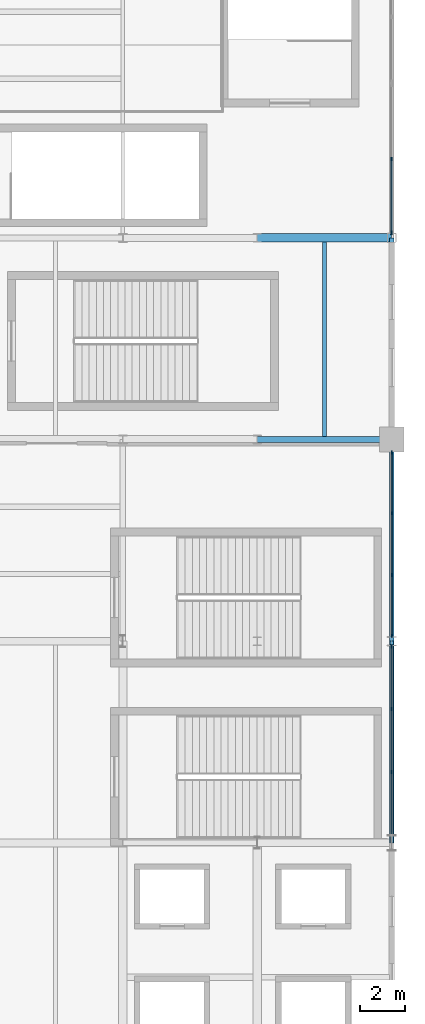
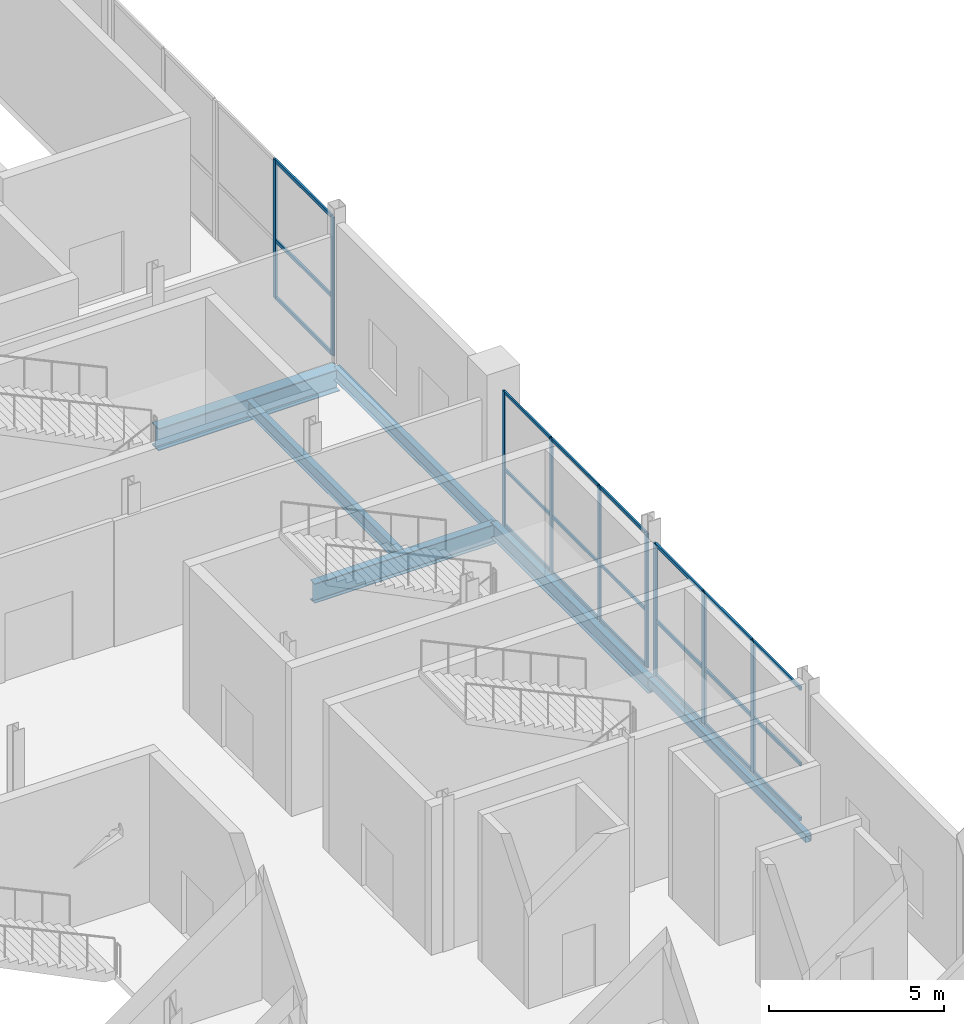
# One storey, part 64 of 119: 30 members, 6 beams, 3 elements without a shape of their own.
"""IFC4 building model written with IfcOpenShell, lengths in metres."""

from ifc_helpers import new_model, si_unit, direction, frame, origin, origin_2d, place, context, subcontext, project, spatial, rectangle, hollow_rectangle, i_section, extrude, material, layer, layer_set, material_profile, profile_set, type_object, element, aggregate, save


model = new_model("IFC4")

# Units and contexts
model_context = context("Model", 3, precision=1e-05, world=origin(), true_north=direction((0.0, 1.0)))
body_context = subcontext(model_context, "Body", "Model", "MODEL_VIEW")
ifc_project = project(units=[si_unit("LENGTHUNIT", "METRE"), si_unit("AREAUNIT", "SQUARE_METRE"), si_unit("VOLUMEUNIT", "CUBIC_METRE"), si_unit("PLANEANGLEUNIT", "RADIAN"), si_unit("MASSUNIT", "GRAM", prefix="KILO")], contexts=[model_context])

# Site, building, storey
site_placement = place(None, origin())
site = spatial("IfcSite", under=ifc_project, at=site_placement, CompositionType="ELEMENT")
building_placement = place(site_placement, origin())
building = spatial("IfcBuilding", under=site, at=building_placement, Name="Qamarlyn Nura Convention Centre", CompositionType="ELEMENT")
storey_placement = place(building_placement, frame((0.0, 0.0, 5.39990234375)))
storey = spatial("IfcBuildingStorey", under=building, at=storey_placement, Name="L01", CompositionType="ELEMENT", Elevation=5.39990234375)

# Beams
ifc_material_1 = material(Name="Steel ASTM A992", Category="steel")
ifc_material_profile_1 = material_profile(ifc_material_1, i_section(OverallWidth=0.25390625, OverallDepth=0.68408203125, WebThickness=0.012451171875, FlangeThickness=0.01904296875, FilletRadius=0.01806640625, at=origin_2d()), Name="W690X140")
ifc_profile_set_1 = profile_set([ifc_material_profile_1], Name="Steel ASTM A992")
beam_type_1 = type_object("IfcBeamType", Name="BM-GIRD-690B", PredefinedType="BEAM", material=ifc_profile_set_1)
beam_1_placement = place(storey_placement, frame((186.0, 81.0, -0.581787109375), z_axis=(1.0, 0.0, 0.0), x_axis=(0.0, 1.0, 0.0)))
element("IfcBeam", 1, at=beam_1_placement, inside=storey, type_object=beam_type_1, Name="L01 girder K 17-18", PredefinedType="BEAM", context=body_context, shape_type="SweptSolid", body=[
    extrude(i_section(OverallWidth=0.25390625, OverallDepth=0.68408203125, WebThickness=0.012451171875, FlangeThickness=0.01904296875, FilletRadius=0.01806640625, at=origin_2d()), origin(), (0.0, 0.0, 1.0), 6.0),
])
ifc_material_profile_2 = material_profile(ifc_material_1, i_section(OverallWidth=0.381103515625, OverallDepth=0.77294921875, WebThickness=0.0166015625, FlangeThickness=0.027587890625, FilletRadius=0.02001953125, at=origin_2d()), Name="W760X257")
ifc_profile_set_2 = profile_set([ifc_material_profile_2], Name="Steel ASTM A992")
beam_type_2 = type_object("IfcBeamType", Name="BM-GIRD-760", PredefinedType="BEAM", material=ifc_profile_set_2)
beam_2_placement = place(storey_placement, frame((186.0, 90.0, -0.62646484375), z_axis=(1.0, 0.0, 0.0), x_axis=(0.0, 1.0, 0.0)))
element("IfcBeam", 2, at=beam_2_placement, inside=storey, type_object=beam_type_2, Name="L01 girder L 17-18", PredefinedType="BEAM", context=body_context, shape_type="SweptSolid", body=[
    extrude(i_section(OverallWidth=0.381103515625, OverallDepth=0.77294921875, WebThickness=0.0166015625, FlangeThickness=0.027587890625, FilletRadius=0.02001953125, at=origin_2d()), origin(), (0.0, 0.0, 1.0), 6.0),
])
ifc_material_profile_3 = material_profile(ifc_material_1, i_section(OverallWidth=0.18994140625, OverallDepth=0.45703125, WebThickness=0.009033203125, FlangeThickness=0.014404296875, FilletRadius=0.012939453125, at=origin_2d()), Name="W460X74")
ifc_profile_set_3 = profile_set([ifc_material_profile_3], Name="Steel ASTM A992")
beam_type_3 = type_object("IfcBeamType", Name="BM-JOIST-460", PredefinedType="JOIST", material=ifc_profile_set_3)
beam_3_placement = place(storey_placement, frame((189.0, 81.126953125, -0.468505859375), z_axis=(0.0, 1.0, 0.0), x_axis=(-1.0, 0.0, 0.0)))
element("IfcBeam", 3, at=beam_3_placement, inside=storey, type_object=beam_type_3, Name="L01 secondary joist 17-18/K-L-44", PredefinedType="JOIST", context=body_context, shape_type="SweptSolid", body=[
    extrude(i_section(OverallWidth=0.18994140625, OverallDepth=0.45703125, WebThickness=0.009033203125, FlangeThickness=0.014404296875, FilletRadius=0.012939453125, at=origin_2d()), origin(), (0.0, 0.0, 1.0), 8.6826171875),
])
ifc_material_profile_4 = material_profile(ifc_material_1, i_section(OverallWidth=0.193115234375, OverallDepth=0.466064453125, WebThickness=0.011474609375, FlangeThickness=0.01904296875, FilletRadius=0.012939453125, at=origin_2d()), Name="W460X97")
ifc_profile_set_4 = profile_set([ifc_material_profile_4], Name="Steel ASTM A992")
beam_type_4 = type_object("IfcBeamType", Name="BM-SPAN-460", PredefinedType="SPANDREL", material=ifc_profile_set_4)
beam_4_placement = place(storey_placement, frame((192.0, 81.0, -0.472900390625), z_axis=(0.0, 1.0, 0.0), x_axis=(-1.0, 0.0, 0.0)))
element("IfcBeam", 4, at=beam_4_placement, inside=storey, type_object=beam_type_4, Name="L01 girder 18 K-L", PredefinedType="SPANDREL", context=body_context, shape_type="SweptSolid", body=[
    extrude(i_section(OverallWidth=0.193115234375, OverallDepth=0.466064453125, WebThickness=0.011474609375, FlangeThickness=0.01904296875, FilletRadius=0.012939453125, at=origin_2d()), origin(), (0.0, 0.0, 1.0), 9.0),
])
ifc_material_profile_5 = material_profile(ifc_material_1, i_section(OverallWidth=0.2109375, OverallDepth=0.5390625, WebThickness=0.01171875, FlangeThickness=0.018798828125, FilletRadius=0.013916015625, at=origin_2d()), Name="W530X109")
ifc_profile_set_5 = profile_set([ifc_material_profile_5], Name="Steel ASTM A992")
beam_type_5 = type_object("IfcBeamType", Name="BM-SPAN-530", PredefinedType="SPANDREL", material=ifc_profile_set_5)
beam_5_placement = place(storey_placement, frame((192.0, 72.0, -0.489501953125), z_axis=(0.0, 1.0, 0.0), x_axis=(-1.0, 0.0, 0.0)))
element("IfcBeam", 5, at=beam_5_placement, inside=storey, type_object=beam_type_5, Name="L01 girder 18 J-K", PredefinedType="SPANDREL", context=body_context, shape_type="SweptSolid", body=[
    extrude(i_section(OverallWidth=0.2109375, OverallDepth=0.5390625, WebThickness=0.01171875, FlangeThickness=0.018798828125, FilletRadius=0.013916015625, at=origin_2d()), origin(), (0.0, 0.0, 1.0), 9.0),
])
ifc_material_2 = material(Name="Steel ASTM A500 Grade C", Category="steel")
ifc_material_profile_6 = material_profile(ifc_material_2, hollow_rectangle(XDim=0.199951171875, YDim=0.300048828125, WallThickness=0.012451171875, InnerFilletRadius=0.012451171875, OuterFilletRadius=0.02490234375, at=origin_2d()), Name="HSS300X200X12.5")
ifc_profile_set_6 = profile_set([ifc_material_profile_6], Name="Steel ASTM A500 Grade C")
beam_type_6 = type_object("IfcBeamType", Name="BM-SPAN-HSS", PredefinedType="SPANDREL", material=ifc_profile_set_6)
beam_6_placement = place(storey_placement, frame((192.0, 63.0, -0.369873046875), z_axis=(0.0, 1.0, 0.0), x_axis=(-1.0, 0.0, 0.0)))
element("IfcBeam", 6, at=beam_6_placement, inside=storey, type_object=beam_type_6, Name="L01 girder 18 H-J", PredefinedType="SPANDREL", context=body_context, shape_type="SweptSolid", body=[
    extrude(hollow_rectangle(XDim=0.199951171875, YDim=0.300048828125, WallThickness=0.012451171875, InnerFilletRadius=0.012451171875, OuterFilletRadius=0.02490234375, at=origin_2d()), origin(), (0.0, 0.0, 1.0), 9.0),
])

# Curtain wall, members
ifc_material_3 = material(Name="Double-silver low-E insulated glass", Category="glass")
ifc_layer_1 = layer(ifc_material_3, 0.179931640625, Name="CW-UNIT-71")
ifc_layer_set_1 = layer_set([ifc_layer_1], Name="Double-silver low-E insulated glass")
curtain_wall_type_1 = type_object("IfcCurtainWallType", Name="CW-UNIT-71", PredefinedType="NOTDEFINED", material=ifc_layer_set_1)
curtain_wall_1_placement = place(storey_placement, origin())
curtain_wall_1 = element("IfcCurtainWall", 7, at=curtain_wall_1_placement, inside=storey, type_object=curtain_wall_type_1, Name="L01 unitised curtain wall EAST-9-1", PredefinedType="NOTDEFINED")
ifc_material_4 = material(Name="Champagne-anodised marine aluminium", Category="aluminium")
ifc_material_profile_7 = material_profile(ifc_material_4, rectangle(XDim=0.06005859375, YDim=0.139892578125, at=origin_2d()), Name="ALU MULLION 60x140")
ifc_profile_set_7 = profile_set([ifc_material_profile_7], Name="Champagne-anodised marine aluminium")
member_type_1 = type_object("IfcMemberType", Name="CWM-140", PredefinedType="MULLION", material=ifc_profile_set_7)
member_1_placement = place(storey_placement, frame((192.0, 80.419921875, 0.0), z_axis=(0.0, 0.0, 1.0), x_axis=(1.0, 0.0, 0.0)))
member_1 = element("IfcMember", 8, at=member_1_placement, type_object=member_type_1, Name="CW71 mullion 1", PredefinedType="MULLION", context=body_context, shape_type="SweptSolid", body=[
    extrude(rectangle(XDim=0.06005859375, YDim=0.139892578125, at=origin_2d()), origin(), (0.0, 0.0, 1.0), 4.69921875),
])
member_2_placement = place(storey_placement, frame((192.0, 77.7041015625, 0.0), z_axis=(0.0, 0.0, 1.0), x_axis=(1.0, 0.0, 0.0)))
member_2 = element("IfcMember", 9, at=member_2_placement, type_object=member_type_1, Name="CW71 mullion 2", PredefinedType="MULLION", context=body_context, shape_type="SweptSolid", body=[
    extrude(rectangle(XDim=0.06005859375, YDim=0.139892578125, at=origin_2d()), origin(), (0.0, 0.0, 1.0), 4.69921875),
])
member_3_placement = place(storey_placement, frame((192.0, 74.958251953125, 0.0), z_axis=(0.0, 0.0, 1.0), x_axis=(1.0, 0.0, 0.0)))
member_3 = element("IfcMember", 10, at=member_3_placement, type_object=member_type_1, Name="CW71 mullion 3", PredefinedType="MULLION", context=body_context, shape_type="SweptSolid", body=[
    extrude(rectangle(XDim=0.06005859375, YDim=0.139892578125, at=origin_2d()), origin(), (0.0, 0.0, 1.0), 4.69921875),
])
member_4_placement = place(storey_placement, frame((192.0, 72.242431640625, 0.0), z_axis=(0.0, 0.0, 1.0), x_axis=(1.0, 0.0, 0.0)))
member_4 = element("IfcMember", 11, at=member_4_placement, type_object=member_type_1, Name="CW71 mullion 4", PredefinedType="MULLION", context=body_context, shape_type="SweptSolid", body=[
    extrude(rectangle(XDim=0.06005859375, YDim=0.139892578125, at=origin_2d()), origin(), (0.0, 0.0, 1.0), 4.69921875),
])

ifc_layer_2 = layer(ifc_material_3, 0.179931640625, Name="CW-UNIT-70")
ifc_layer_set_2 = layer_set([ifc_layer_2], Name="Double-silver low-E insulated glass")
curtain_wall_type_2 = type_object("IfcCurtainWallType", Name="CW-UNIT-70", PredefinedType="NOTDEFINED", material=ifc_layer_set_2)
curtain_wall_2_placement = place(storey_placement, origin())
curtain_wall_2 = element("IfcCurtainWall", 12, at=curtain_wall_2_placement, inside=storey, type_object=curtain_wall_type_2, Name="L01 unitised curtain wall EAST-8-1", PredefinedType="NOTDEFINED")
ifc_material_profile_8 = material_profile(ifc_material_4, rectangle(XDim=0.06494140625, YDim=0.159912109375, at=origin_2d()), Name="ALU MULLION 65x160")
ifc_profile_set_8 = profile_set([ifc_material_profile_8], Name="Champagne-anodised marine aluminium")
member_type_2 = type_object("IfcMemberType", Name="CWM-160", PredefinedType="MULLION", material=ifc_profile_set_8)
member_5_placement = place(storey_placement, frame((192.0, 71.7548828125, 0.0), z_axis=(0.0, 0.0, 1.0), x_axis=(1.0, 0.0, 0.0)))
member_5 = element("IfcMember", 13, at=member_5_placement, type_object=member_type_2, Name="CW70 mullion 1", PredefinedType="MULLION", context=body_context, shape_type="SweptSolid", body=[
    extrude(rectangle(XDim=0.06494140625, YDim=0.159912109375, at=origin_2d()), origin(), (0.0, 0.0, 1.0), 4.6259765625),
])
member_6_placement = place(storey_placement, frame((192.0, 68.97412109375, 0.0), z_axis=(0.0, 0.0, 1.0), x_axis=(1.0, 0.0, 0.0)))
member_6 = element("IfcMember", 14, at=member_6_placement, type_object=member_type_2, Name="CW70 mullion 2", PredefinedType="MULLION", context=body_context, shape_type="SweptSolid", body=[
    extrude(rectangle(XDim=0.06494140625, YDim=0.159912109375, at=origin_2d()), origin(), (0.0, 0.0, 1.0), 4.6259765625),
])
member_7_placement = place(storey_placement, frame((192.0, 66.160888671875, 0.0), z_axis=(0.0, 0.0, 1.0), x_axis=(1.0, 0.0, 0.0)))
member_7 = element("IfcMember", 15, at=member_7_placement, type_object=member_type_2, Name="CW70 mullion 3", PredefinedType="MULLION", context=body_context, shape_type="SweptSolid", body=[
    extrude(rectangle(XDim=0.06494140625, YDim=0.159912109375, at=origin_2d()), origin(), (0.0, 0.0, 1.0), 4.6259765625),
])

ifc_layer_3 = layer(ifc_material_3, 0.179931640625, Name="CW-UNIT-73")
ifc_layer_set_3 = layer_set([ifc_layer_3], Name="Double-silver low-E insulated glass")
curtain_wall_type_3 = type_object("IfcCurtainWallType", Name="CW-UNIT-73", PredefinedType="NOTDEFINED", material=ifc_layer_set_3)
curtain_wall_3_placement = place(storey_placement, origin())
curtain_wall_3 = element("IfcCurtainWall", 16, at=curtain_wall_3_placement, inside=storey, type_object=curtain_wall_type_3, Name="L01 unitised curtain wall EAST-11-1B", PredefinedType="NOTDEFINED")
member_8_placement = place(storey_placement, frame((192.0, 93.525634765625, 0.0), z_axis=(0.0, 0.0, 1.0), x_axis=(1.0, 0.0, 0.0)))
member_8 = element("IfcMember", 17, at=member_8_placement, type_object=member_type_2, Name="CW73 mullion 2", PredefinedType="MULLION", context=body_context, shape_type="SweptSolid", body=[
    extrude(rectangle(XDim=0.06494140625, YDim=0.159912109375, at=origin_2d()), origin(), (0.0, 0.0, 1.0), 4.84619140625),
])
member_9_placement = place(storey_placement, frame((192.0, 90.232421875, 0.0), z_axis=(0.0, 0.0, 1.0), x_axis=(1.0, 0.0, 0.0)))
member_9 = element("IfcMember", 18, at=member_9_placement, type_object=member_type_2, Name="CW73 mullion 3", PredefinedType="MULLION", context=body_context, shape_type="SweptSolid", body=[
    extrude(rectangle(XDim=0.06494140625, YDim=0.159912109375, at=origin_2d()), origin(), (0.0, 0.0, 1.0), 4.84619140625),
])

# Member
ifc_material_profile_9 = material_profile(ifc_material_4, rectangle(XDim=0.06005859375, YDim=0.10009765625, at=origin_2d()), Name="ALU TRANSOM 60x100")
ifc_profile_set_9 = profile_set([ifc_material_profile_9], Name="Champagne-anodised marine aluminium")
member_type_3 = type_object("IfcMemberType", Name="CWT-100", PredefinedType="USERDEFINED", material=ifc_profile_set_9)
member_10_placement = place(storey_placement, frame((192.0, 80.389892578125, 0.030029296875), z_axis=(0.0, -1.0, 0.0), x_axis=(1.0, 0.0, 0.0)))
member_10 = element("IfcMember", 19, at=member_10_placement, type_object=member_type_3, Name="CW71 transom 1.1", ObjectType="TRANSOM", PredefinedType="USERDEFINED", context=body_context, shape_type="SweptSolid", body=[
    extrude(rectangle(XDim=0.06005859375, YDim=0.10009765625, at=origin_2d()), origin(), (0.0, 0.0, 1.0), 2.65576171875),
])

member_11_placement = place(storey_placement, frame((192.0, 80.389892578125, 1.97412109375), z_axis=(0.0, -1.0, 0.0), x_axis=(1.0, 0.0, 0.0)))
member_11 = element("IfcMember", 20, at=member_11_placement, type_object=member_type_3, Name="CW71 transom 1.2", ObjectType="TRANSOM", PredefinedType="USERDEFINED", context=body_context, shape_type="SweptSolid", body=[
    extrude(rectangle(XDim=0.06005859375, YDim=0.10009765625, at=origin_2d()), origin(), (0.0, 0.0, 1.0), 2.65576171875),
])

member_12_placement = place(storey_placement, frame((192.0, 80.389892578125, 4.669189453125), z_axis=(0.0, -1.0, 0.0), x_axis=(1.0, 0.0, 0.0)))
member_12 = element("IfcMember", 21, at=member_12_placement, type_object=member_type_3, Name="CW71 transom 1.3", ObjectType="TRANSOM", PredefinedType="USERDEFINED", context=body_context, shape_type="SweptSolid", body=[
    extrude(rectangle(XDim=0.06005859375, YDim=0.10009765625, at=origin_2d()), origin(), (0.0, 0.0, 1.0), 2.65576171875),
])

member_13_placement = place(storey_placement, frame((192.0, 77.674072265625, 0.030029296875), z_axis=(0.0, -1.0, 0.0), x_axis=(1.0, 0.0, 0.0)))
member_13 = element("IfcMember", 22, at=member_13_placement, type_object=member_type_3, Name="CW71 transom 2.1", ObjectType="TRANSOM", PredefinedType="USERDEFINED", context=body_context, shape_type="SweptSolid", body=[
    extrude(rectangle(XDim=0.06005859375, YDim=0.10009765625, at=origin_2d()), origin(), (0.0, 0.0, 1.0), 2.685791015625),
])

member_14_placement = place(storey_placement, frame((192.0, 77.674072265625, 1.97412109375), z_axis=(0.0, -1.0, 0.0), x_axis=(1.0, 0.0, 0.0)))
member_14 = element("IfcMember", 23, at=member_14_placement, type_object=member_type_3, Name="CW71 transom 2.2", ObjectType="TRANSOM", PredefinedType="USERDEFINED", context=body_context, shape_type="SweptSolid", body=[
    extrude(rectangle(XDim=0.06005859375, YDim=0.10009765625, at=origin_2d()), origin(), (0.0, 0.0, 1.0), 2.685791015625),
])

member_15_placement = place(storey_placement, frame((192.0, 77.674072265625, 4.669189453125), z_axis=(0.0, -1.0, 0.0), x_axis=(1.0, 0.0, 0.0)))
member_15 = element("IfcMember", 24, at=member_15_placement, type_object=member_type_3, Name="CW71 transom 2.3", ObjectType="TRANSOM", PredefinedType="USERDEFINED", context=body_context, shape_type="SweptSolid", body=[
    extrude(rectangle(XDim=0.06005859375, YDim=0.10009765625, at=origin_2d()), origin(), (0.0, 0.0, 1.0), 2.685791015625),
])

member_16_placement = place(storey_placement, frame((192.0, 74.92822265625, 0.030029296875), z_axis=(0.0, -1.0, 0.0), x_axis=(1.0, 0.0, 0.0)))
member_16 = element("IfcMember", 25, at=member_16_placement, type_object=member_type_3, Name="CW71 transom 3.1", ObjectType="TRANSOM", PredefinedType="USERDEFINED", context=body_context, shape_type="SweptSolid", body=[
    extrude(rectangle(XDim=0.06005859375, YDim=0.10009765625, at=origin_2d()), origin(), (0.0, 0.0, 1.0), 2.65576171875),
])

member_17_placement = place(storey_placement, frame((192.0, 74.92822265625, 1.97412109375), z_axis=(0.0, -1.0, 0.0), x_axis=(1.0, 0.0, 0.0)))
member_17 = element("IfcMember", 26, at=member_17_placement, type_object=member_type_3, Name="CW71 transom 3.2", ObjectType="TRANSOM", PredefinedType="USERDEFINED", context=body_context, shape_type="SweptSolid", body=[
    extrude(rectangle(XDim=0.06005859375, YDim=0.10009765625, at=origin_2d()), origin(), (0.0, 0.0, 1.0), 2.65576171875),
])

member_18_placement = place(storey_placement, frame((192.0, 74.92822265625, 4.669189453125), z_axis=(0.0, -1.0, 0.0), x_axis=(1.0, 0.0, 0.0)))
member_18 = element("IfcMember", 27, at=member_18_placement, type_object=member_type_3, Name="CW71 transom 3.3", ObjectType="TRANSOM", PredefinedType="USERDEFINED", context=body_context, shape_type="SweptSolid", body=[
    extrude(rectangle(XDim=0.06005859375, YDim=0.10009765625, at=origin_2d()), origin(), (0.0, 0.0, 1.0), 2.65576171875),
])

aggregate(curtain_wall_1, [member_1, member_2, member_3, member_4, member_10, member_11, member_12, member_13, member_14, member_15, member_16, member_17, member_18])

ifc_material_profile_10 = material_profile(ifc_material_4, rectangle(XDim=0.06494140625, YDim=0.1201171875, at=origin_2d()), Name="ALU TRANSOM 65x120")
ifc_profile_set_10 = profile_set([ifc_material_profile_10], Name="Champagne-anodised marine aluminium")
member_type_4 = type_object("IfcMemberType", Name="CWT-120", PredefinedType="USERDEFINED", material=ifc_profile_set_10)
member_19_placement = place(storey_placement, frame((192.0, 71.722412109375, 0.03271484375), z_axis=(0.0, -1.0, 0.0), x_axis=(1.0, 0.0, 0.0)))
member_19 = element("IfcMember", 28, at=member_19_placement, type_object=member_type_4, Name="CW70 transom 1.1", ObjectType="TRANSOM", PredefinedType="USERDEFINED", context=body_context, shape_type="SweptSolid", body=[
    extrude(rectangle(XDim=0.06494140625, YDim=0.1201171875, at=origin_2d()), origin(), (0.0, 0.0, 1.0), 2.7158203125),
])

member_20_placement = place(storey_placement, frame((192.0, 71.722412109375, 1.943115234375), z_axis=(0.0, -1.0, 0.0), x_axis=(1.0, 0.0, 0.0)))
member_20 = element("IfcMember", 29, at=member_20_placement, type_object=member_type_4, Name="CW70 transom 1.2", ObjectType="TRANSOM", PredefinedType="USERDEFINED", context=body_context, shape_type="SweptSolid", body=[
    extrude(rectangle(XDim=0.06494140625, YDim=0.1201171875, at=origin_2d()), origin(), (0.0, 0.0, 1.0), 2.7158203125),
])

member_21_placement = place(storey_placement, frame((192.0, 71.722412109375, 4.593505859375), z_axis=(0.0, -1.0, 0.0), x_axis=(1.0, 0.0, 0.0)))
member_21 = element("IfcMember", 30, at=member_21_placement, type_object=member_type_4, Name="CW70 transom 1.3", ObjectType="TRANSOM", PredefinedType="USERDEFINED", context=body_context, shape_type="SweptSolid", body=[
    extrude(rectangle(XDim=0.06494140625, YDim=0.1201171875, at=origin_2d()), origin(), (0.0, 0.0, 1.0), 2.7158203125),
])

member_22_placement = place(storey_placement, frame((192.0, 68.941650390625, 0.03271484375), z_axis=(0.0, -1.0, 0.0), x_axis=(1.0, 0.0, 0.0)))
member_22 = element("IfcMember", 31, at=member_22_placement, type_object=member_type_4, Name="CW70 transom 2.1", ObjectType="TRANSOM", PredefinedType="USERDEFINED", context=body_context, shape_type="SweptSolid", body=[
    extrude(rectangle(XDim=0.06494140625, YDim=0.1201171875, at=origin_2d()), origin(), (0.0, 0.0, 1.0), 2.748291015625),
])

member_23_placement = place(storey_placement, frame((192.0, 68.941650390625, 1.943115234375), z_axis=(0.0, -1.0, 0.0), x_axis=(1.0, 0.0, 0.0)))
member_23 = element("IfcMember", 32, at=member_23_placement, type_object=member_type_4, Name="CW70 transom 2.2", ObjectType="TRANSOM", PredefinedType="USERDEFINED", context=body_context, shape_type="SweptSolid", body=[
    extrude(rectangle(XDim=0.06494140625, YDim=0.1201171875, at=origin_2d()), origin(), (0.0, 0.0, 1.0), 2.748291015625),
])

member_24_placement = place(storey_placement, frame((192.0, 68.941650390625, 4.593505859375), z_axis=(0.0, -1.0, 0.0), x_axis=(1.0, 0.0, 0.0)))
member_24 = element("IfcMember", 33, at=member_24_placement, type_object=member_type_4, Name="CW70 transom 2.3", ObjectType="TRANSOM", PredefinedType="USERDEFINED", context=body_context, shape_type="SweptSolid", body=[
    extrude(rectangle(XDim=0.06494140625, YDim=0.1201171875, at=origin_2d()), origin(), (0.0, 0.0, 1.0), 2.748291015625),
])

member_25_placement = place(storey_placement, frame((192.0, 66.12841796875, 0.03271484375), z_axis=(0.0, -1.0, 0.0), x_axis=(1.0, 0.0, 0.0)))
member_25 = element("IfcMember", 34, at=member_25_placement, type_object=member_type_4, Name="CW70 transom 3.1", ObjectType="TRANSOM", PredefinedType="USERDEFINED", context=body_context, shape_type="SweptSolid", body=[
    extrude(rectangle(XDim=0.06494140625, YDim=0.1201171875, at=origin_2d()), origin(), (0.0, 0.0, 1.0), 2.7158203125),
])

member_26_placement = place(storey_placement, frame((192.0, 66.12841796875, 1.943115234375), z_axis=(0.0, -1.0, 0.0), x_axis=(1.0, 0.0, 0.0)))
member_26 = element("IfcMember", 35, at=member_26_placement, type_object=member_type_4, Name="CW70 transom 3.2", ObjectType="TRANSOM", PredefinedType="USERDEFINED", context=body_context, shape_type="SweptSolid", body=[
    extrude(rectangle(XDim=0.06494140625, YDim=0.1201171875, at=origin_2d()), origin(), (0.0, 0.0, 1.0), 2.7158203125),
])

member_27_placement = place(storey_placement, frame((192.0, 66.12841796875, 4.593505859375), z_axis=(0.0, -1.0, 0.0), x_axis=(1.0, 0.0, 0.0)))
member_27 = element("IfcMember", 36, at=member_27_placement, type_object=member_type_4, Name="CW70 transom 3.3", ObjectType="TRANSOM", PredefinedType="USERDEFINED", context=body_context, shape_type="SweptSolid", body=[
    extrude(rectangle(XDim=0.06494140625, YDim=0.1201171875, at=origin_2d()), origin(), (0.0, 0.0, 1.0), 2.7158203125),
])

aggregate(curtain_wall_2, [member_5, member_6, member_7, member_19, member_20, member_21, member_22, member_23, member_24, member_25, member_26, member_27])

member_28_placement = place(storey_placement, frame((192.0, 93.4931640625, 0.03271484375), z_axis=(0.0, -1.0, 0.0), x_axis=(1.0, 0.0, 0.0)))
member_28 = element("IfcMember", 37, at=member_28_placement, type_object=member_type_4, Name="CW73 transom 2.1", ObjectType="TRANSOM", PredefinedType="USERDEFINED", context=body_context, shape_type="SweptSolid", body=[
    extrude(rectangle(XDim=0.06494140625, YDim=0.1201171875, at=origin_2d()), origin(), (0.0, 0.0, 1.0), 3.228271484375),
])

member_29_placement = place(storey_placement, frame((192.0, 93.4931640625, 2.03515625), z_axis=(0.0, -1.0, 0.0), x_axis=(1.0, 0.0, 0.0)))
member_29 = element("IfcMember", 38, at=member_29_placement, type_object=member_type_4, Name="CW73 transom 2.2", ObjectType="TRANSOM", PredefinedType="USERDEFINED", context=body_context, shape_type="SweptSolid", body=[
    extrude(rectangle(XDim=0.06494140625, YDim=0.1201171875, at=origin_2d()), origin(), (0.0, 0.0, 1.0), 3.228271484375),
])

member_30_placement = place(storey_placement, frame((192.0, 93.4931640625, 4.8134765625), z_axis=(0.0, -1.0, 0.0), x_axis=(1.0, 0.0, 0.0)))
member_30 = element("IfcMember", 39, at=member_30_placement, type_object=member_type_4, Name="CW73 transom 2.3", ObjectType="TRANSOM", PredefinedType="USERDEFINED", context=body_context, shape_type="SweptSolid", body=[
    extrude(rectangle(XDim=0.06494140625, YDim=0.1201171875, at=origin_2d()), origin(), (0.0, 0.0, 1.0), 3.228271484375),
])

aggregate(curtain_wall_3, [member_8, member_9, member_28, member_29, member_30])

save(model, "model.ifc")
